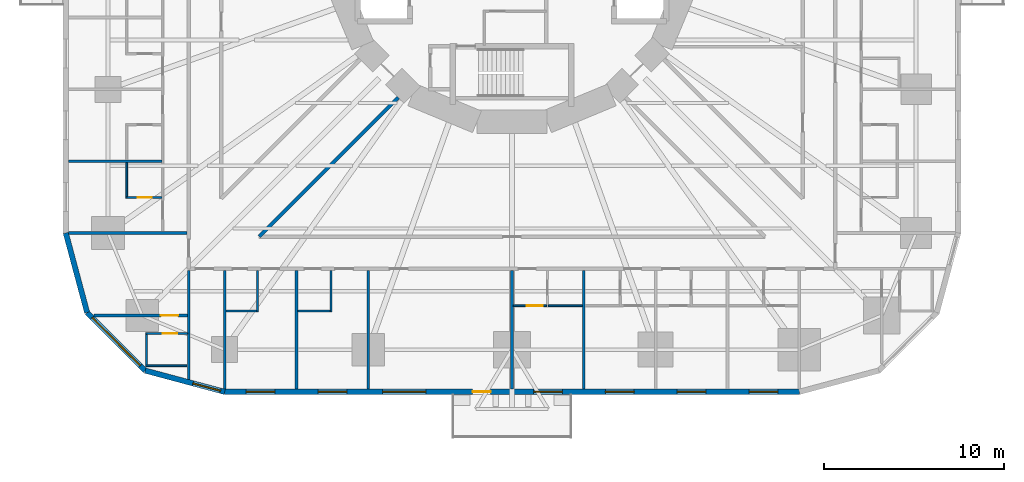
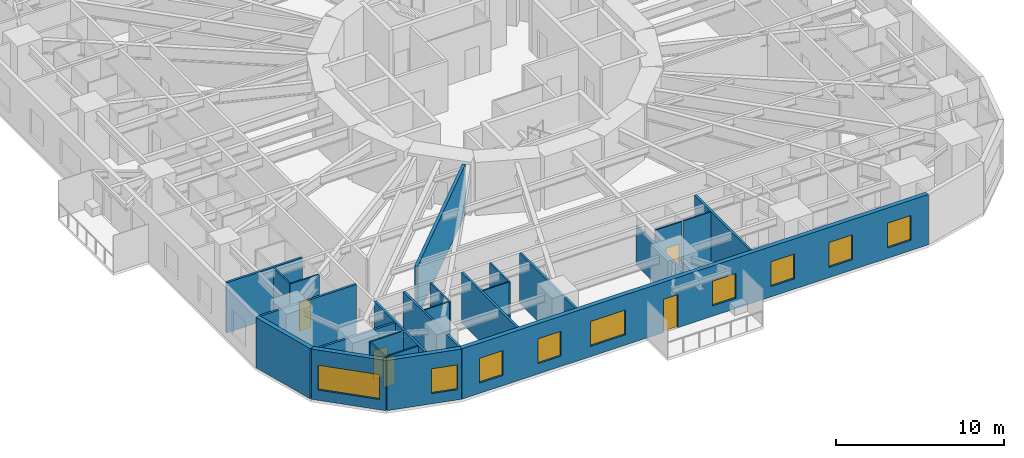
# One storey, part 4 of 14: 25 walls, 9 windows, 5 doors, 14 openings.
"""IFC4 building model written with IfcOpenShell, lengths in metres."""

from ifc_helpers import new_model, si_unit, direction, frame, frame_2d, origin, place, context, subcontext, project, spatial, rectangle, extrude, material, layer, layer_set, type_object, element, fill, save


model = new_model("IFC4")

# Units and contexts
model_context = context("Model", 3, precision=1e-05, world=origin(), true_north=direction((0.0, 1.0)))
body_context = subcontext(model_context, "Body", "Model", "MODEL_VIEW")
ifc_project = project(units=[si_unit("LENGTHUNIT", "METRE"), si_unit("AREAUNIT", "SQUARE_METRE"), si_unit("VOLUMEUNIT", "CUBIC_METRE"), si_unit("PLANEANGLEUNIT", "RADIAN"), si_unit("MASSUNIT", "GRAM", prefix="KILO")], contexts=[model_context])

# Site, building, storey
site_placement = place(None, origin())
site = spatial("IfcSite", under=ifc_project, at=site_placement, CompositionType="ELEMENT")
building_placement = place(site_placement, origin())
building = spatial("IfcBuilding", under=site, at=building_placement, Name="Nakasero Lantern House", CompositionType="ELEMENT")
storey_placement = place(building_placement, frame((0.0, 0.0, 31.39990234375)))
storey = spatial("IfcBuildingStorey", under=building, at=storey_placement, Name="L07", CompositionType="ELEMENT", Elevation=31.39990234375)

# Wall
ifc_material_1 = material(Name="Blockwork", Category="masonry")
ifc_layer_1 = layer(ifc_material_1, 0.199951171875)
ifc_layer_set_1 = layer_set([ifc_layer_1], Name="Corridor wall 200")
wall_type_1 = type_object("IfcWallType", Name="Corridor wall 200", PredefinedType="PARTITIONING", material=ifc_layer_set_1)
wall_1_placement = place(storey_placement, frame((-6.334228515625, -8.45556640625, 0.0), z_axis=(0.0, 0.0, 1.0), x_axis=(-0.707106781187, -0.707106781187, 0.0)))
element("IfcWall", 1, at=wall_1_placement, inside=storey, type_object=wall_type_1, Name="Corridor wall L07 PS10a", PredefinedType="PARTITIONING", context=body_context, shape_type="SweptSolid", body=[
    extrude(rectangle(XDim=10.9521484375, YDim=0.199951171875, at=frame_2d((5.47607421875, 0.0))), origin(), (0.0, 0.0, 1.0), 3.650146484375),
])

# Wall, opening, door
ifc_material_2 = material(Name="Blockwork", Category="masonry")
ifc_layer_2 = layer(ifc_material_2, 0.10009765625)
ifc_layer_set_2 = layer_set([ifc_layer_2], Name="En-suite wall 100")
wall_type_2 = type_object("IfcWallType", Name="En-suite wall 100", PredefinedType="PARTITIONING", material=ifc_layer_set_2)
wall_2_placement = place(storey_placement, frame((-19.5, -14.02490234375, 0.0), z_axis=(0.0, 0.0, 1.0), x_axis=(-1.0, 0.0, 0.0)))
wall_2 = element("IfcWall", 2, at=wall_2_placement, inside=storey, type_object=wall_type_2, Name="En-suite wall L07 ES2-08", PredefinedType="PARTITIONING", context=body_context, shape_type="SweptSolid", body=[
    extrude(rectangle(XDim=2.0, YDim=0.10009765625, at=frame_2d((1.0, 0.0))), origin(), (0.0, 0.0, 1.0), 3.650146484375),
])
opening_1_placement = place(wall_2_placement, frame((0.550048828125, 0.0, 0.0)))
opening_1 = element("IfcOpeningElement", 3, at=opening_1_placement, cuts=wall_2, Name="Opening D02", PredefinedType="OPENING", context=body_context, shape_type="SweptSolid", body=[
    extrude(rectangle(XDim=0.800048828125, YDim=2.10009765625, at=frame_2d((0.39990234375, 1.050048828125))), frame((0.0, 0.070068359375, 0.0), z_axis=(0.0, -1.0, 0.0), x_axis=(1.0, 0.0, 0.0)), (0.0, 0.0, 1.0), 0.14013671875),
])
ifc_material_3 = material(Name="Timber C24", Category="wood")
door_type_1 = type_object("IfcDoorType", Name="En-suite door 800", OperationType="SINGLE_SWING_RIGHT", PredefinedType="DOOR", material=ifc_material_3)
door_1_placement = place(opening_1_placement, origin())
door_1 = element("IfcDoor", 4, at=door_1_placement, inside=storey, type_object=door_type_1, Name="Door L07 DE2-08", OperationType="SINGLE_SWING_LEFT", OverallHeight=2.10009765625, OverallWidth=0.800048828125, PredefinedType="DOOR", context=body_context, shape_type="SweptSolid", body=[
    extrude(rectangle(XDim=0.800048828125, YDim=2.10009765625, at=frame_2d((0.39990234375, 1.050048828125))), frame((0.0, 0.02490234375, 0.0), z_axis=(0.0, -1.0, 0.0), x_axis=(1.0, 0.0, 0.0)), (0.0, 0.0, 1.0), 0.050048828125),
])
fill(opening_1, door_1)

# Wall
wall_3_placement = place(storey_placement, frame((-21.449951171875, -12.074951171875, 0.0), z_axis=(0.0, 0.0, 1.0), x_axis=(0.0, -1.0, 0.0)))
element("IfcWall", 5, at=wall_3_placement, inside=storey, type_object=wall_type_2, Name="En-suite wall L07 EE2-08", PredefinedType="PARTITIONING", context=body_context, shape_type="SweptSolid", body=[
    extrude(rectangle(XDim=1.900146484375, YDim=0.10009765625, at=frame_2d((0.9501953125, 0.0))), origin(), (0.0, 0.0, 1.0), 3.650146484375),
])

# Wall, opening, door
wall_4_placement = place(storey_placement, frame((-18.06494140625, -21.59619140625, 0.0), z_axis=(0.0, 0.0, 1.0), x_axis=(-1.0, 0.0, 0.0)))
wall_4 = element("IfcWall", 6, at=wall_4_placement, inside=storey, type_object=wall_type_2, Name="En-suite wall L07 ES2-09", PredefinedType="PARTITIONING", context=body_context, shape_type="SweptSolid", body=[
    extrude(rectangle(XDim=2.3349609375, YDim=0.10009765625, at=frame_2d((1.16748046875, 0.0))), origin(), (0.0, 0.0, 1.0), 3.650146484375),
])
opening_2_placement = place(wall_4_placement, frame((0.5849609375, 0.0, 0.0)))
opening_2 = element("IfcOpeningElement", 7, at=opening_2_placement, cuts=wall_4, Name="Opening D02", PredefinedType="OPENING", context=body_context, shape_type="SweptSolid", body=[
    extrude(rectangle(XDim=0.800048828125, YDim=2.10009765625, at=frame_2d((0.39990234375, 1.050048828125))), frame((0.0, 0.070068359375, 0.0), z_axis=(0.0, -1.0, 0.0), x_axis=(1.0, 0.0, 0.0)), (0.0, 0.0, 1.0), 0.14013671875),
])
door_2_placement = place(opening_2_placement, origin())
door_2 = element("IfcDoor", 8, at=door_2_placement, inside=storey, type_object=door_type_1, Name="Door L07 DE2-09", OperationType="SINGLE_SWING_LEFT", OverallHeight=2.10009765625, OverallWidth=0.800048828125, PredefinedType="DOOR", context=body_context, shape_type="SweptSolid", body=[
    extrude(rectangle(XDim=0.800048828125, YDim=2.10009765625, at=frame_2d((0.39990234375, 1.050048828125))), frame((0.0, 0.02490234375, 0.0), z_axis=(0.0, -1.0, 0.0), x_axis=(1.0, 0.0, 0.0)), (0.0, 0.0, 1.0), 0.050048828125),
])
fill(opening_2, door_2)

# Walls
wall_5_placement = place(storey_placement, frame((-20.35009765625, -21.646240234375, 0.0), z_axis=(0.0, 0.0, 1.0), x_axis=(0.0, -1.0, 0.0)))
element("IfcWall", 9, at=wall_5_placement, inside=storey, type_object=wall_type_2, Name="En-suite wall L07 EE2-09", PredefinedType="PARTITIONING", context=body_context, shape_type="SweptSolid", body=[
    extrude(rectangle(XDim=1.699951171875, YDim=0.10009765625, at=frame_2d((0.85009765625, 0.0))), origin(), (0.0, 0.0, 1.0), 3.650146484375),
])
for number, where, z_axis, x_axis, name in (
    (10, (-18.10009765625, -23.396240234375, 0.0), (0.0, 0.0, 1.0), (-1.0, 0.0, 0.0), "En-suite wall L07 EV2-09"),
    (11, (-14.175048828125, -18.10009765625, 0.0), (0.0, 0.0, 1.0), (0.0, -1.0, 0.0), "En-suite wall L07 ES3-01"),
):
    element("IfcWall", number, at=place(storey_placement, frame(where, z_axis=z_axis, x_axis=x_axis)), inside=storey, type_object=wall_type_2, Name=name, PredefinedType="PARTITIONING", context=body_context, shape_type="SweptSolid", body=[
        extrude(rectangle(XDim=2.2998046875, YDim=0.10009765625, at=frame_2d((1.14990234375, 0.0))), origin(), (0.0, 0.0, 1.0), 3.650146484375),
    ])
wall_6_placement = place(storey_placement, frame((-15.925048828125, -20.35009765625, 0.0), z_axis=(0.0, 0.0, 1.0), x_axis=(1.0, 0.0, 0.0)))
element("IfcWall", 12, at=wall_6_placement, inside=storey, type_object=wall_type_2, Name="En-suite wall L07 EE3-01", PredefinedType="PARTITIONING", context=body_context, shape_type="SweptSolid", body=[
    extrude(rectangle(XDim=1.699951171875, YDim=0.10009765625, at=frame_2d((0.85009765625, 0.0))), origin(), (0.0, 0.0, 1.0), 3.650146484375),
])
wall_7_placement = place(storey_placement, frame((-10.074951171875, -18.10009765625, 0.0), z_axis=(0.0, 0.0, 1.0), x_axis=(0.0, -1.0, 0.0)))
element("IfcWall", 13, at=wall_7_placement, inside=storey, type_object=wall_type_2, Name="En-suite wall L07 ES3-02", PredefinedType="PARTITIONING", context=body_context, shape_type="SweptSolid", body=[
    extrude(rectangle(XDim=2.2998046875, YDim=0.10009765625, at=frame_2d((1.14990234375, 0.0))), origin(), (0.0, 0.0, 1.0), 3.650146484375),
])
wall_8_placement = place(storey_placement, frame((-11.925048828125, -20.35009765625, 0.0), z_axis=(0.0, 0.0, 1.0), x_axis=(1.0, 0.0, 0.0)))
element("IfcWall", 14, at=wall_8_placement, inside=storey, type_object=wall_type_2, Name="En-suite wall L07 EE3-02", PredefinedType="PARTITIONING", context=body_context, shape_type="SweptSolid", body=[
    extrude(rectangle(XDim=1.800048828125, YDim=0.10009765625, at=frame_2d((0.89990234375, 0.0))), origin(), (0.0, 0.0, 1.0), 3.650146484375),
])
wall_9_placement = place(storey_placement, frame((2.02490234375, -20.050048828125, 0.0), z_axis=(0.0, 0.0, 1.0), x_axis=(1.0, 0.0, 0.0)))
element("IfcWall", 15, at=wall_9_placement, inside=storey, type_object=wall_type_2, Name="En-suite wall L07 EE3-05", PredefinedType="PARTITIONING", context=body_context, shape_type="SweptSolid", body=[
    extrude(rectangle(XDim=1.900146484375, YDim=0.10009765625, at=frame_2d((0.9501953125, 0.0))), origin(), (0.0, 0.0, 1.0), 3.650146484375),
])

# Wall, opening, door
wall_10_placement = place(storey_placement, frame((0.074951171875, -20.050048828125, 0.0), z_axis=(0.0, 0.0, 1.0), x_axis=(1.0, 0.0, 0.0)))
wall_10 = element("IfcWall", 16, at=wall_10_placement, inside=storey, type_object=wall_type_2, Name="En-suite wall L07 EL3-05", PredefinedType="PARTITIONING", context=body_context, shape_type="SweptSolid", body=[
    extrude(rectangle(XDim=1.85009765625, YDim=0.10009765625, at=frame_2d((0.925048828125, 0.0))), origin(), (0.0, 0.0, 1.0), 3.650146484375),
])
opening_3_placement = place(wall_10_placement, frame((0.75, 0.0, 0.0)))
opening_3 = element("IfcOpeningElement", 17, at=opening_3_placement, cuts=wall_10, Name="Opening D17", PredefinedType="OPENING", context=body_context, shape_type="SweptSolid", body=[
    extrude(rectangle(XDim=0.89990234375, YDim=2.10009765625, at=frame_2d((0.449951171875, 1.050048828125))), frame((0.0, 0.070068359375, 0.0), z_axis=(0.0, -1.0, 0.0), x_axis=(1.0, 0.0, 0.0)), (0.0, 0.0, 1.0), 0.14013671875),
])
ifc_material_4 = material(Name="Timber C24", Category="wood")
door_type_2 = type_object("IfcDoorType", Name="Bedroom door FD30S 900", OperationType="SINGLE_SWING_LEFT", PredefinedType="DOOR", material=ifc_material_4)
door_3_placement = place(opening_3_placement, origin())
door_3 = element("IfcDoor", 18, at=door_3_placement, inside=storey, type_object=door_type_2, Name="Door L07 DL3-05", OperationType="SINGLE_SWING_RIGHT", OverallHeight=2.10009765625, OverallWidth=0.89990234375, PredefinedType="DOOR", context=body_context, shape_type="SweptSolid", body=[
    extrude(rectangle(XDim=0.89990234375, YDim=2.10009765625, at=frame_2d((0.449951171875, 1.050048828125))), frame((0.0, 0.02490234375, 0.0), z_axis=(0.0, -1.0, 0.0), x_axis=(1.0, 0.0, 0.0)), (0.0, 0.0, 1.0), 0.050048828125),
])
fill(opening_3, door_3)

# Wall
ifc_material_5 = material(Name="Aluminium rainscreen on blockwork", Category="masonry")
ifc_layer_3 = layer(ifc_material_5, 0.300048828125)
ifc_layer_set_3 = layer_set([ifc_layer_3], Name="Facade wall 300")
wall_type_3 = type_object("IfcWallType", Name="Facade wall 300", PredefinedType="SOLIDWALL", material=ifc_layer_set_3)
wall_11_placement = place(storey_placement, frame((-24.85009765625, -16.0, 0.0), z_axis=(0.0, 0.0, 1.0), x_axis=(0.258839972501, -0.965920218567, 0.0)))
element("IfcWall", 19, at=wall_11_placement, inside=storey, type_object=wall_type_3, Name="Facade wall L07 FW2C1", PredefinedType="SOLIDWALL", context=body_context, shape_type="SweptSolid", body=[
    extrude(rectangle(XDim=4.5810546875, YDim=0.300048828125, at=frame_2d((2.29052734375, 0.0))), origin(), (0.0, 0.0, 1.0), 3.650146484375),
])

# Wall, opening, window
wall_12_placement = place(storey_placement, frame((-23.664306640625, -20.425048828125, 0.0), z_axis=(0.0, 0.0, 1.0), x_axis=(0.707106781187, -0.707106781187, 0.0)))
wall_12 = element("IfcWall", 20, at=wall_12_placement, inside=storey, type_object=wall_type_3, Name="Facade wall L07 FW2C2", PredefinedType="SOLIDWALL", context=body_context, shape_type="SweptSolid", body=[
    extrude(rectangle(XDim=4.5810546875, YDim=0.300048828125, at=frame_2d((2.29052734375, 0.0))), origin(), (0.0, 0.0, 1.0), 3.650146484375),
])
opening_4_placement = place(wall_12_placement, frame((0.39990234375, 0.0, 0.75)))
opening_4 = element("IfcOpeningElement", 21, at=opening_4_placement, cuts=wall_12, Name="Opening W237", PredefinedType="OPENING", context=body_context, shape_type="SweptSolid", body=[
    extrude(rectangle(XDim=3.781005859375, YDim=1.800048828125, at=frame_2d((1.890625, 0.89990234375))), frame((0.0, 0.169921875, 0.0), z_axis=(0.0, -1.0, 0.0), x_axis=(1.0, 0.0, 0.0)), (0.0, 0.0, 1.0), 0.340087890625),
])
ifc_material_6 = material(Name="Aluminium 6063-T6 and glass", Category="aluminium")
window_type_1 = type_object("IfcWindowType", Name="Corner window 3781x1800", PartitioningType="SINGLE_PANEL", PredefinedType="WINDOW", material=ifc_material_6)
window_1_placement = place(opening_4_placement, origin())
window_1 = element("IfcWindow", 22, at=window_1_placement, inside=storey, type_object=window_type_1, Name="Window L07 WC2", OverallHeight=1.800048828125, OverallWidth=3.781005859375, PartitioningType="SINGLE_PANEL", PredefinedType="WINDOW", context=body_context, shape_type="SweptSolid", body=[
    extrude(rectangle(XDim=3.781005859375, YDim=1.800048828125, at=frame_2d((1.890625, 0.89990234375))), frame((0.0, 0.030029296875, 0.0), z_axis=(0.0, -1.0, 0.0), x_axis=(1.0, 0.0, 0.0)), (0.0, 0.0, 1.0), 0.06005859375),
])
fill(opening_4, window_1)

wall_13_placement = place(storey_placement, frame((-20.425048828125, -23.664306640625, 0.0), z_axis=(0.0, 0.0, 1.0), x_axis=(0.965920218567, -0.258839972501, 0.0)))
wall_13 = element("IfcWall", 23, at=wall_13_placement, inside=storey, type_object=wall_type_3, Name="Facade wall L07 FW2C3", PredefinedType="SOLIDWALL", context=body_context, shape_type="SweptSolid", body=[
    extrude(rectangle(XDim=4.5810546875, YDim=0.300048828125, at=frame_2d((2.29052734375, 0.0))), origin(), (0.0, 0.0, 1.0), 3.650146484375),
])
opening_5_placement = place(wall_13_placement, frame((2.74609375, 0.0, 0.75)))
opening_5 = element("IfcOpeningElement", 24, at=opening_5_placement, cuts=wall_13, Name="Opening W01", PredefinedType="OPENING", context=body_context, shape_type="SweptSolid", body=[
    extrude(rectangle(XDim=1.60009765625, YDim=1.800048828125, at=frame_2d((0.800048828125, 0.89990234375))), frame((0.0, 0.169921875, 0.0), z_axis=(0.0, -1.0, 0.0), x_axis=(1.0, 0.0, 0.0)), (0.0, 0.0, 1.0), 0.340087890625),
])
ifc_material_7 = material(Name="Aluminium 6063-T6 and glass", Category="aluminium")
window_type_2 = type_object("IfcWindowType", Name="Bedroom window 1600x1800", PartitioningType="SINGLE_PANEL", PredefinedType="WINDOW", material=ifc_material_7)
window_2_placement = place(opening_5_placement, origin())
window_2 = element("IfcWindow", 25, at=window_2_placement, inside=storey, type_object=window_type_2, Name="Window L07 WN3-00", OverallHeight=1.800048828125, OverallWidth=1.60009765625, PartitioningType="SINGLE_PANEL", PredefinedType="WINDOW", context=body_context, shape_type="SweptSolid", body=[
    extrude(rectangle(XDim=1.60009765625, YDim=1.800048828125, at=frame_2d((0.800048828125, 0.89990234375))), frame((0.0, 0.030029296875, 0.0), z_axis=(0.0, -1.0, 0.0), x_axis=(1.0, 0.0, 0.0)), (0.0, 0.0, 1.0), 0.06005859375),
])
fill(opening_5, window_2)

# Wall, openings, door, windows
wall_14_placement = place(storey_placement, frame((-16.0, -24.85009765625, 0.0), z_axis=(0.0, 0.0, 1.0), x_axis=(1.0, 0.0, 0.0)))
wall_14 = element("IfcWall", 26, at=wall_14_placement, inside=storey, type_object=wall_type_3, Name="Facade wall L07 FW3S", PredefinedType="SOLIDWALL", context=body_context, shape_type="SweptSolid", body=[
    extrude(rectangle(XDim=32.0, YDim=0.300048828125, at=frame_2d((16.0, 0.0))), origin(), (0.0, 0.0, 1.0), 3.650146484375),
])
opening_6_placement = place(wall_14_placement, frame((1.199951171875, 0.0, 0.75)))
opening_6 = element("IfcOpeningElement", 27, at=opening_6_placement, cuts=wall_14, Name="Opening W01", PredefinedType="OPENING", context=body_context, shape_type="SweptSolid", body=[
    extrude(rectangle(XDim=1.60009765625, YDim=1.800048828125, at=frame_2d((0.800048828125, 0.89990234375))), frame((0.0, 0.169921875, 0.0), z_axis=(0.0, -1.0, 0.0), x_axis=(1.0, 0.0, 0.0)), (0.0, 0.0, 1.0), 0.340087890625),
])
opening_7_placement = place(wall_14_placement, frame((5.199951171875, 0.0, 0.75)))
opening_7 = element("IfcOpeningElement", 28, at=opening_7_placement, cuts=wall_14, Name="Opening W01", PredefinedType="OPENING", context=body_context, shape_type="SweptSolid", body=[
    extrude(rectangle(XDim=1.60009765625, YDim=1.800048828125, at=frame_2d((0.800048828125, 0.89990234375))), frame((0.0, 0.169921875, 0.0), z_axis=(0.0, -1.0, 0.0), x_axis=(1.0, 0.0, 0.0)), (0.0, 0.0, 1.0), 0.340087890625),
])
opening_8_placement = place(wall_14_placement, frame((17.199951171875, 0.0, 0.75)))
opening_8 = element("IfcOpeningElement", 29, at=opening_8_placement, cuts=wall_14, Name="Opening W01", PredefinedType="OPENING", context=body_context, shape_type="SweptSolid", body=[
    extrude(rectangle(XDim=1.60009765625, YDim=1.800048828125, at=frame_2d((0.800048828125, 0.89990234375))), frame((0.0, 0.169921875, 0.0), z_axis=(0.0, -1.0, 0.0), x_axis=(1.0, 0.0, 0.0)), (0.0, 0.0, 1.0), 0.340087890625),
])
opening_9_placement = place(wall_14_placement, frame((21.199951171875, 0.0, 0.75)))
opening_9 = element("IfcOpeningElement", 30, at=opening_9_placement, cuts=wall_14, Name="Opening W01", PredefinedType="OPENING", context=body_context, shape_type="SweptSolid", body=[
    extrude(rectangle(XDim=1.60009765625, YDim=1.800048828125, at=frame_2d((0.800048828125, 0.89990234375))), frame((0.0, 0.169921875, 0.0), z_axis=(0.0, -1.0, 0.0), x_axis=(1.0, 0.0, 0.0)), (0.0, 0.0, 1.0), 0.340087890625),
])
opening_10_placement = place(wall_14_placement, frame((25.199951171875, 0.0, 0.75)))
opening_10 = element("IfcOpeningElement", 31, at=opening_10_placement, cuts=wall_14, Name="Opening W01", PredefinedType="OPENING", context=body_context, shape_type="SweptSolid", body=[
    extrude(rectangle(XDim=1.60009765625, YDim=1.800048828125, at=frame_2d((0.800048828125, 0.89990234375))), frame((0.0, 0.169921875, 0.0), z_axis=(0.0, -1.0, 0.0), x_axis=(1.0, 0.0, 0.0)), (0.0, 0.0, 1.0), 0.340087890625),
])
opening_11_placement = place(wall_14_placement, frame((29.199951171875, 0.0, 0.75)))
opening_11 = element("IfcOpeningElement", 32, at=opening_11_placement, cuts=wall_14, Name="Opening W01", PredefinedType="OPENING", context=body_context, shape_type="SweptSolid", body=[
    extrude(rectangle(XDim=1.60009765625, YDim=1.800048828125, at=frame_2d((0.800048828125, 0.89990234375))), frame((0.0, 0.169921875, 0.0), z_axis=(0.0, -1.0, 0.0), x_axis=(1.0, 0.0, 0.0)), (0.0, 0.0, 1.0), 0.340087890625),
])
opening_12_placement = place(wall_14_placement, frame((8.800048828125, 0.0, 0.75)))
opening_12 = element("IfcOpeningElement", 33, at=opening_12_placement, cuts=wall_14, Name="Opening W03", PredefinedType="OPENING", context=body_context, shape_type="SweptSolid", body=[
    extrude(rectangle(XDim=2.39990234375, YDim=1.800048828125, at=frame_2d((1.199951171875, 0.89990234375))), frame((0.0, 0.169921875, 0.0), z_axis=(0.0, -1.0, 0.0), x_axis=(1.0, 0.0, 0.0)), (0.0, 0.0, 1.0), 0.340087890625),
])
opening_13_placement = place(wall_14_placement, frame((13.8125, 0.0, 0.0)))
opening_13 = element("IfcOpeningElement", 34, at=opening_13_placement, cuts=wall_14, Name="Opening D04", PredefinedType="OPENING", context=body_context, shape_type="SweptSolid", body=[
    extrude(rectangle(XDim=1.0, YDim=2.39990234375, at=frame_2d((0.5, 1.199951171875))), frame((0.0, 0.169921875, 0.0), z_axis=(0.0, -1.0, 0.0), x_axis=(1.0, 0.0, 0.0)), (0.0, 0.0, 1.0), 0.340087890625),
])
ifc_material_8 = material(Name="Aluminium 6063-T6 and glass", Category="aluminium")
door_type_3 = type_object("IfcDoorType", Name="Balcony door 1000x2400", OperationType="SINGLE_SWING_RIGHT", PredefinedType="DOOR", material=ifc_material_8)
door_4_placement = place(opening_13_placement, origin())
door_4 = element("IfcDoor", 35, at=door_4_placement, inside=storey, type_object=door_type_3, Name="Balcony door L07 DB3", OperationType="SINGLE_SWING_RIGHT", OverallHeight=2.39990234375, OverallWidth=1.0, PredefinedType="DOOR", context=body_context, shape_type="SweptSolid", body=[
    extrude(rectangle(XDim=1.0, YDim=2.39990234375, at=frame_2d((0.5, 1.199951171875))), frame((0.0, 0.02490234375, 0.0), z_axis=(0.0, -1.0, 0.0), x_axis=(1.0, 0.0, 0.0)), (0.0, 0.0, 1.0), 0.050048828125),
])
fill(opening_13, door_4)
window_3_placement = place(opening_6_placement, origin())
window_3 = element("IfcWindow", 36, at=window_3_placement, inside=storey, type_object=window_type_2, Name="Window L07 WN3-01", OverallHeight=1.800048828125, OverallWidth=1.60009765625, PartitioningType="SINGLE_PANEL", PredefinedType="WINDOW", context=body_context, shape_type="SweptSolid", body=[
    extrude(rectangle(XDim=1.60009765625, YDim=1.800048828125, at=frame_2d((0.800048828125, 0.89990234375))), frame((0.0, 0.030029296875, 0.0), z_axis=(0.0, -1.0, 0.0), x_axis=(1.0, 0.0, 0.0)), (0.0, 0.0, 1.0), 0.06005859375),
])
fill(opening_6, window_3)
window_4_placement = place(opening_7_placement, origin())
window_4 = element("IfcWindow", 37, at=window_4_placement, inside=storey, type_object=window_type_2, Name="Window L07 WN3-02", OverallHeight=1.800048828125, OverallWidth=1.60009765625, PartitioningType="SINGLE_PANEL", PredefinedType="WINDOW", context=body_context, shape_type="SweptSolid", body=[
    extrude(rectangle(XDim=1.60009765625, YDim=1.800048828125, at=frame_2d((0.800048828125, 0.89990234375))), frame((0.0, 0.030029296875, 0.0), z_axis=(0.0, -1.0, 0.0), x_axis=(1.0, 0.0, 0.0)), (0.0, 0.0, 1.0), 0.06005859375),
])
fill(opening_7, window_4)
window_5_placement = place(opening_8_placement, origin())
window_5 = element("IfcWindow", 38, at=window_5_placement, inside=storey, type_object=window_type_2, Name="Window L07 WN3-05", OverallHeight=1.800048828125, OverallWidth=1.60009765625, PartitioningType="SINGLE_PANEL", PredefinedType="WINDOW", context=body_context, shape_type="SweptSolid", body=[
    extrude(rectangle(XDim=1.60009765625, YDim=1.800048828125, at=frame_2d((0.800048828125, 0.89990234375))), frame((0.0, 0.030029296875, 0.0), z_axis=(0.0, -1.0, 0.0), x_axis=(1.0, 0.0, 0.0)), (0.0, 0.0, 1.0), 0.06005859375),
])
fill(opening_8, window_5)
window_6_placement = place(opening_9_placement, origin())
window_6 = element("IfcWindow", 39, at=window_6_placement, inside=storey, type_object=window_type_2, Name="Window L07 WN3-06", OverallHeight=1.800048828125, OverallWidth=1.60009765625, PartitioningType="SINGLE_PANEL", PredefinedType="WINDOW", context=body_context, shape_type="SweptSolid", body=[
    extrude(rectangle(XDim=1.60009765625, YDim=1.800048828125, at=frame_2d((0.800048828125, 0.89990234375))), frame((0.0, 0.030029296875, 0.0), z_axis=(0.0, -1.0, 0.0), x_axis=(1.0, 0.0, 0.0)), (0.0, 0.0, 1.0), 0.06005859375),
])
fill(opening_9, window_6)
window_7_placement = place(opening_10_placement, origin())
window_7 = element("IfcWindow", 40, at=window_7_placement, inside=storey, type_object=window_type_2, Name="Window L07 WN3-07", OverallHeight=1.800048828125, OverallWidth=1.60009765625, PartitioningType="SINGLE_PANEL", PredefinedType="WINDOW", context=body_context, shape_type="SweptSolid", body=[
    extrude(rectangle(XDim=1.60009765625, YDim=1.800048828125, at=frame_2d((0.800048828125, 0.89990234375))), frame((0.0, 0.030029296875, 0.0), z_axis=(0.0, -1.0, 0.0), x_axis=(1.0, 0.0, 0.0)), (0.0, 0.0, 1.0), 0.06005859375),
])
fill(opening_10, window_7)
window_8_placement = place(opening_11_placement, origin())
window_8 = element("IfcWindow", 41, at=window_8_placement, inside=storey, type_object=window_type_2, Name="Window L07 WN3-08", OverallHeight=1.800048828125, OverallWidth=1.60009765625, PartitioningType="SINGLE_PANEL", PredefinedType="WINDOW", context=body_context, shape_type="SweptSolid", body=[
    extrude(rectangle(XDim=1.60009765625, YDim=1.800048828125, at=frame_2d((0.800048828125, 0.89990234375))), frame((0.0, 0.030029296875, 0.0), z_axis=(0.0, -1.0, 0.0), x_axis=(1.0, 0.0, 0.0)), (0.0, 0.0, 1.0), 0.06005859375),
])
fill(opening_11, window_8)
ifc_material_9 = material(Name="Aluminium 6063-T6 and glass", Category="aluminium")
window_type_3 = type_object("IfcWindowType", Name="Lounge window 2400x1800", PartitioningType="SINGLE_PANEL", PredefinedType="WINDOW", material=ifc_material_9)
window_9_placement = place(opening_12_placement, origin())
window_9 = element("IfcWindow", 42, at=window_9_placement, inside=storey, type_object=window_type_3, Name="Window L07 WK3", OverallHeight=1.800048828125, OverallWidth=2.39990234375, PartitioningType="SINGLE_PANEL", PredefinedType="WINDOW", context=body_context, shape_type="SweptSolid", body=[
    extrude(rectangle(XDim=2.39990234375, YDim=1.800048828125, at=frame_2d((1.199951171875, 0.89990234375))), frame((0.0, 0.030029296875, 0.0), z_axis=(0.0, -1.0, 0.0), x_axis=(1.0, 0.0, 0.0)), (0.0, 0.0, 1.0), 0.06005859375),
])
fill(opening_12, window_9)

# Walls
ifc_material_10 = material(Name="Blockwork", Category="masonry")
ifc_layer_4 = layer(ifc_material_10, 0.14990234375)
ifc_layer_set_4 = layer_set([ifc_layer_4], Name="Party wall 150")
wall_type_4 = type_object("IfcWallType", Name="Party wall 150", PredefinedType="PARTITIONING", material=ifc_layer_set_4)
wall_15_placement = place(storey_placement, frame((-19.5, -12.0, 0.0), z_axis=(0.0, 0.0, 1.0), x_axis=(-1.0, 0.0, 0.0)))
element("IfcWall", 43, at=wall_15_placement, inside=storey, type_object=wall_type_4, Name="Party wall L07 PW2-08", PredefinedType="PARTITIONING", context=body_context, shape_type="SweptSolid", body=[
    extrude(rectangle(XDim=5.199951171875, YDim=0.14990234375, at=frame_2d((2.60009765625, 0.0))), origin(), (0.0, 0.0, 1.0), 3.650146484375),
])
wall_16_placement = place(storey_placement, frame((-18.10009765625, -16.0, 0.0), z_axis=(0.0, 0.0, 1.0), x_axis=(-1.0, 0.0, 0.0)))
element("IfcWall", 44, at=wall_16_placement, inside=storey, type_object=wall_type_4, Name="Party wall L07 PW2-09", PredefinedType="PARTITIONING", context=body_context, shape_type="SweptSolid", body=[
    extrude(rectangle(XDim=6.58935546875, YDim=0.14990234375, at=frame_2d((3.294677734375, 0.0))), origin(), (0.0, 0.0, 1.0), 3.650146484375),
])

# Wall, opening, door
wall_17_placement = place(storey_placement, frame((-18.06494140625, -20.59619140625, 0.0), z_axis=(0.0, 0.0, 1.0), x_axis=(-1.0, 0.0, 0.0)))
wall_17 = element("IfcWall", 45, at=wall_17_placement, inside=storey, type_object=wall_type_4, Name="Party wall L07 PC2", PredefinedType="PARTITIONING", context=body_context, shape_type="SweptSolid", body=[
    extrude(rectangle(XDim=5.208740234375, YDim=0.14990234375, at=frame_2d((2.6044921875, 0.0))), origin(), (0.0, 0.0, 1.0), 3.650146484375),
])
opening_14_placement = place(wall_17_placement, frame((0.534912109375, 0.0, 0.0)))
opening_14 = element("IfcOpeningElement", 46, at=opening_14_placement, cuts=wall_17, Name="Opening D01", PredefinedType="OPENING", context=body_context, shape_type="SweptSolid", body=[
    extrude(rectangle(XDim=0.949951171875, YDim=2.10009765625, at=frame_2d((0.47509765625, 1.050048828125))), frame((0.0, 0.094970703125, 0.0), z_axis=(0.0, -1.0, 0.0), x_axis=(1.0, 0.0, 0.0)), (0.0, 0.0, 1.0), 0.18994140625),
])
ifc_material_11 = material(Name="Timber C24", Category="wood")
door_type_4 = type_object("IfcDoorType", Name="Bedroom door FD30S 950", OperationType="SINGLE_SWING_LEFT", PredefinedType="DOOR", material=ifc_material_11)
door_5_placement = place(opening_14_placement, origin())
door_5 = element("IfcDoor", 47, at=door_5_placement, inside=storey, type_object=door_type_4, Name="Door L07 DC2", OperationType="SINGLE_SWING_LEFT", OverallHeight=2.10009765625, OverallWidth=0.949951171875, PredefinedType="DOOR", context=body_context, shape_type="SweptSolid", body=[
    extrude(rectangle(XDim=0.949951171875, YDim=2.10009765625, at=frame_2d((0.47509765625, 1.050048828125))), frame((0.0, 0.02490234375, 0.0), z_axis=(0.0, -1.0, 0.0), x_axis=(1.0, 0.0, 0.0)), (0.0, 0.0, 1.0), 0.050048828125),
])
fill(opening_14, door_5)

# Walls
wall_18_placement = place(storey_placement, frame((-18.0, -18.10009765625, 0.0), z_axis=(0.0, 0.0, 1.0), x_axis=(0.0, -1.0, 0.0)))
element("IfcWall", 48, at=wall_18_placement, inside=storey, type_object=wall_type_4, Name="Party wall L07 PW3-00", PredefinedType="PARTITIONING", context=body_context, shape_type="SweptSolid", body=[
    extrude(rectangle(XDim=6.053466796875, YDim=0.14990234375, at=frame_2d((3.02685546875, 0.0))), origin(), (0.0, 0.0, 1.0), 3.650146484375),
])
wall_19_placement = place(storey_placement, frame((-16.0, -18.10009765625, 0.0), z_axis=(0.0, 0.0, 1.0), x_axis=(0.0, -1.0, 0.0)))
element("IfcWall", 49, at=wall_19_placement, inside=storey, type_object=wall_type_4, Name="Party wall L07 PW3-01", PredefinedType="PARTITIONING", context=body_context, shape_type="SweptSolid", body=[
    extrude(rectangle(XDim=6.58935546875, YDim=0.14990234375, at=frame_2d((3.294677734375, 0.0))), origin(), (0.0, 0.0, 1.0), 3.650146484375),
])
for number, where, z_axis, x_axis, name in (
    (50, (-12.0, -18.10009765625, 0.0), (0.0, 0.0, 1.0), (0.0, -1.0, 0.0), "Party wall L07 PW3-02"),
    (51, (-8.0, -18.10009765625, 0.0), (0.0, 0.0, 1.0), (0.0, -1.0, 0.0), "Party wall L07 PW3-03"),
):
    element("IfcWall", number, at=place(storey_placement, frame(where, z_axis=z_axis, x_axis=x_axis)), inside=storey, type_object=wall_type_4, Name=name, PredefinedType="PARTITIONING", context=body_context, shape_type="SweptSolid", body=[
        extrude(rectangle(XDim=6.599853515625, YDim=0.14990234375, at=frame_2d((3.2998046875, 0.0))), origin(), (0.0, 0.0, 1.0), 3.650146484375),
    ])
wall_20_placement = place(storey_placement, frame((0.0, -18.10009765625, 0.0), z_axis=(0.0, 0.0, 1.0), x_axis=(0.0, -1.0, 0.0)))
element("IfcWall", 52, at=wall_20_placement, inside=storey, type_object=wall_type_4, Name="Party wall L07 PW3-05", PredefinedType="PARTITIONING", context=body_context, shape_type="SweptSolid", body=[
    extrude(rectangle(XDim=6.599853515625, YDim=0.14990234375, at=frame_2d((3.2998046875, 0.0))), origin(), (0.0, 0.0, 1.0), 2.809326171875),
])
wall_21_placement = place(storey_placement, frame((4.0, -18.10009765625, 0.0), z_axis=(0.0, 0.0, 1.0), x_axis=(0.0, -1.0, 0.0)))
element("IfcWall", 53, at=wall_21_placement, inside=storey, type_object=wall_type_4, Name="Party wall L07 PW3-06", PredefinedType="PARTITIONING", context=body_context, shape_type="SweptSolid", body=[
    extrude(rectangle(XDim=6.599853515625, YDim=0.14990234375, at=frame_2d((3.2998046875, 0.0))), origin(), (0.0, 0.0, 1.0), 3.650146484375),
])

save(model, "model.ifc")
